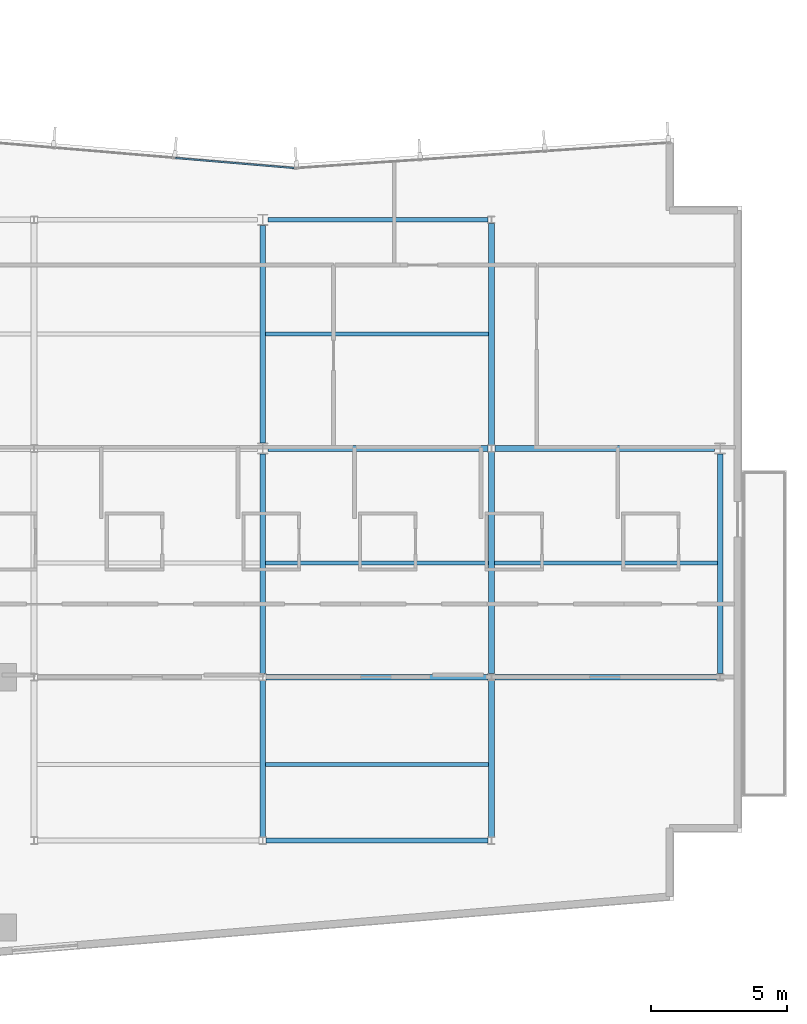
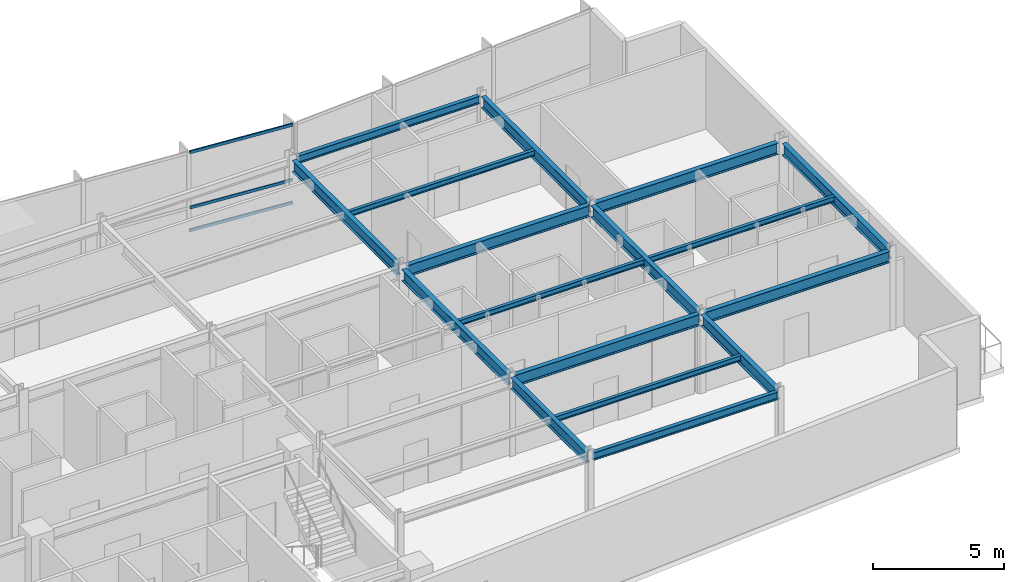
# One storey, part 6 of 15: 17 beams, 3 members, 1 element without a shape of its own.
"""IFC4 building model written with IfcOpenShell, lengths in metres."""

from ifc_helpers import new_model, si_unit, direction, frame, origin, origin_2d, place, context, subcontext, project, spatial, hollow_rectangle, i_section, extrude, material, layer, layer_set, material_profile, profile_set, type_object, element, aggregate, save


model = new_model("IFC4")

# Units and contexts
model_context = context("Model", 3, precision=1e-05, world=origin(), true_north=direction((0.0, 1.0)))
body_context = subcontext(model_context, "Body", "Model", "MODEL_VIEW")
ifc_project = project(units=[si_unit("LENGTHUNIT", "METRE"), si_unit("AREAUNIT", "SQUARE_METRE"), si_unit("VOLUMEUNIT", "CUBIC_METRE"), si_unit("PLANEANGLEUNIT", "RADIAN"), si_unit("MASSUNIT", "GRAM", prefix="KILO")], contexts=[model_context])

# Site, building, storey
site_placement = place(None, origin())
site = spatial("IfcSite", under=ifc_project, at=site_placement, CompositionType="ELEMENT")
building_placement = place(site_placement, origin())
building = spatial("IfcBuilding", under=site, at=building_placement, Name="Varnakote Quay Hospital", CompositionType="ELEMENT")
storey_placement = place(building_placement, frame((0.0, 0.0, 200.0)))
storey = spatial("IfcBuildingStorey", under=building, at=storey_placement, Name="L49", CompositionType="ELEMENT", Elevation=200.0)

# Beams
ifc_material_1 = material(Name="Structural steel AS/NZS 3679.1 Grade 350 L0 (fy 340 MPa)", Category="steel")
ifc_material_profile_1 = material_profile(ifc_material_1, i_section(OverallWidth=0.208984375, OverallDepth=0.528076171875, WebThickness=0.009521484375, FlangeThickness=0.01318359375, FilletRadius=0.013916015625, at=origin_2d()), Name="530UB82.0")
ifc_profile_set_1 = profile_set([ifc_material_profile_1], Name="Structural steel AS/NZS 3679.1 Grade 350 L0 (fy 340 MPa)")
beam_type_1 = type_object("IfcBeamType", Name="BM-STL-530UB82-0", PredefinedType="BEAM", material=ifc_profile_set_1)
beam_1_placement = place(storey_placement, frame((33.60009765625, 6.1298828125, 3.446044921875), z_axis=(0.0, 1.0, 0.0), x_axis=(-1.0, 0.0, 0.0)))
element("IfcBeam", 1, at=beam_1_placement, inside=storey, type_object=beam_type_1, Name="L49 Primary Tie Beam", PredefinedType="BEAM", context=body_context, shape_type="SweptSolid", body=[
    extrude(i_section(OverallWidth=0.208984375, OverallDepth=0.528076171875, WebThickness=0.009521484375, FlangeThickness=0.01318359375, FilletRadius=0.013916015625, at=origin_2d()), origin(), (0.0, 0.0, 1.0), 5.740234375),
])
beam_2_placement = place(storey_placement, frame((33.60009765625, 12.1298828125, 3.446044921875), z_axis=(0.0, 1.0, 0.0), x_axis=(-1.0, 0.0, 0.0)))
element("IfcBeam", 2, at=beam_2_placement, inside=storey, type_object=beam_type_1, Name="L49 Primary Tie Beam", PredefinedType="BEAM", context=body_context, shape_type="SweptSolid", body=[
    extrude(i_section(OverallWidth=0.208984375, OverallDepth=0.528076171875, WebThickness=0.009521484375, FlangeThickness=0.01318359375, FilletRadius=0.013916015625, at=origin_2d()), origin(), (0.0, 0.0, 1.0), 8.068115234375),
])
beam_3_placement = place(storey_placement, frame((33.60009765625, 20.60205078125, 3.446044921875), z_axis=(0.0, 1.0, 0.0), x_axis=(-1.0, 0.0, 0.0)))
element("IfcBeam", 3, at=beam_3_placement, inside=storey, type_object=beam_type_1, Name="L49 Primary Tie Beam", PredefinedType="BEAM", context=body_context, shape_type="SweptSolid", body=[
    extrude(i_section(OverallWidth=0.208984375, OverallDepth=0.528076171875, WebThickness=0.009521484375, FlangeThickness=0.01318359375, FilletRadius=0.013916015625, at=origin_2d()), origin(), (0.0, 0.0, 1.0), 7.995849609375),
])
beam_4_placement = place(storey_placement, frame((42.0, 6.1298828125, 3.446044921875), z_axis=(0.0, 1.0, 0.0), x_axis=(-1.0, 0.0, 0.0)))
element("IfcBeam", 4, at=beam_4_placement, inside=storey, type_object=beam_type_1, Name="L49 Primary Tie Beam", PredefinedType="BEAM", context=body_context, shape_type="SweptSolid", body=[
    extrude(i_section(OverallWidth=0.208984375, OverallDepth=0.528076171875, WebThickness=0.009521484375, FlangeThickness=0.01318359375, FilletRadius=0.013916015625, at=origin_2d()), origin(), (0.0, 0.0, 1.0), 5.740234375),
])
beam_5_placement = place(storey_placement, frame((42.0, 12.1298828125, 3.446044921875), z_axis=(0.0, 1.0, 0.0), x_axis=(-1.0, 0.0, 0.0)))
element("IfcBeam", 5, at=beam_5_placement, inside=storey, type_object=beam_type_1, Name="L49 Primary Tie Beam", PredefinedType="BEAM", context=body_context, shape_type="SweptSolid", body=[
    extrude(i_section(OverallWidth=0.208984375, OverallDepth=0.528076171875, WebThickness=0.009521484375, FlangeThickness=0.01318359375, FilletRadius=0.013916015625, at=origin_2d()), origin(), (0.0, 0.0, 1.0), 8.14013671875),
])
beam_6_placement = place(storey_placement, frame((42.0, 20.530029296875, 3.446044921875), z_axis=(0.0, 1.0, 0.0), x_axis=(-1.0, 0.0, 0.0)))
element("IfcBeam", 6, at=beam_6_placement, inside=storey, type_object=beam_type_1, Name="L49 Primary Tie Beam", PredefinedType="BEAM", context=body_context, shape_type="SweptSolid", body=[
    extrude(i_section(OverallWidth=0.208984375, OverallDepth=0.528076171875, WebThickness=0.009521484375, FlangeThickness=0.01318359375, FilletRadius=0.013916015625, at=origin_2d()), origin(), (0.0, 0.0, 1.0), 8.139892578125),
])
beam_7_placement = place(storey_placement, frame((50.39990234375, 12.1298828125, 3.446044921875), z_axis=(0.0, 1.0, 0.0), x_axis=(-1.0, 0.0, 0.0)))
element("IfcBeam", 7, at=beam_7_placement, inside=storey, type_object=beam_type_1, Name="L49 Primary Tie Beam", PredefinedType="BEAM", context=body_context, shape_type="SweptSolid", body=[
    extrude(i_section(OverallWidth=0.208984375, OverallDepth=0.528076171875, WebThickness=0.009521484375, FlangeThickness=0.01318359375, FilletRadius=0.013916015625, at=origin_2d()), origin(), (0.0, 0.0, 1.0), 8.068115234375),
])
ifc_material_2 = material(Name="Structural steel AS/NZS 3679.1 Grade 350 L0 (fy 340 MPa)", Category="steel")
ifc_material_profile_2 = material_profile(ifc_material_2, i_section(OverallWidth=0.208984375, OverallDepth=0.532958984375, WebThickness=0.01025390625, FlangeThickness=0.015625, FilletRadius=0.013916015625, at=origin_2d()), Name="530UB92.4")
ifc_profile_set_2 = profile_set([ifc_material_profile_2], Name="Structural steel AS/NZS 3679.1 Grade 350 L0 (fy 340 MPa)")
beam_type_2 = type_object("IfcBeamType", Name="BM-STL-530UB92-4", PredefinedType="BEAM", material=ifc_profile_set_2)
for number, where, z_axis, x_axis, name in (
    (8, (33.72802734375, 12.0, 3.443603515625), (1.0, 0.0, 0.0), (0.0, 1.0, 0.0), "L49 Primary Floor Beam"),
    (9, (42.1279296875, 12.0, 3.443603515625), (1.0, 0.0, 0.0), (0.0, 1.0, 0.0), "L49 Primary Floor Beam"),
):
    element("IfcBeam", number, at=place(storey_placement, frame(where, z_axis=z_axis, x_axis=x_axis)), inside=storey, type_object=beam_type_2, Name=name, PredefinedType="BEAM", context=body_context, shape_type="SweptSolid", body=[
        extrude(i_section(OverallWidth=0.208984375, OverallDepth=0.532958984375, WebThickness=0.01025390625, FlangeThickness=0.015625, FilletRadius=0.013916015625, at=origin_2d()), origin(), (0.0, 0.0, 1.0), 8.14404296875),
    ])
for number, where, z_axis, x_axis, name in (
    (10, (33.800048828125, 20.39990234375, 3.443603515625), (1.0, 0.0, 0.0), (0.0, 1.0, 0.0), "L49 Primary Floor Beam"),
    (11, (42.1279296875, 20.39990234375, 3.443603515625), (1.0, 0.0, 0.0), (0.0, 1.0, 0.0), "L49 Primary Floor Beam"),
):
    element("IfcBeam", number, at=place(storey_placement, frame(where, z_axis=z_axis, x_axis=x_axis)), inside=storey, type_object=beam_type_2, Name=name, PredefinedType="BEAM", context=body_context, shape_type="SweptSolid", body=[
        extrude(i_section(OverallWidth=0.208984375, OverallDepth=0.532958984375, WebThickness=0.01025390625, FlangeThickness=0.015625, FilletRadius=0.013916015625, at=origin_2d()), origin(), (0.0, 0.0, 1.0), 8.072021484375),
    ])

# Curtain wall, members
ifc_material_3 = material(Name="Anodised aluminium 6063-T6 Bronze", Category="aluminium")
ifc_layer = layer(ifc_material_3, 0.219970703125)
ifc_layer_set = layer_set([ifc_layer], Name="Anodised aluminium 6063-T6 Bronze")
curtain_wall_type = type_object("IfcCurtainWallType", Name="CW-SYS-4", PredefinedType="NOTDEFINED", material=ifc_layer_set)
curtain_wall_placement = place(storey_placement, origin())
curtain_wall = element("IfcCurtainWall", 12, at=curtain_wall_placement, inside=storey, type_object=curtain_wall_type, Name="L49 Unitised Bronze Curtain Wall 2", PredefinedType="NOTDEFINED")
ifc_material_4 = material(Name="Anodised aluminium 6063-T6 Bronze", Category="aluminium")
ifc_material_profile_3 = material_profile(ifc_material_4, hollow_rectangle(XDim=0.06494140625, YDim=0.139892578125, WallThickness=0.00390625, InnerFilletRadius=0.00390625, OuterFilletRadius=0.007568359375, at=origin_2d()), Name="CW-TRAN-140x65")
ifc_profile_set_3 = profile_set([ifc_material_profile_3], Name="Anodised aluminium 6063-T6 Bronze")
member_type = type_object("IfcMemberType", Name="CW-TRAN-140x65", PredefinedType="USERDEFINED", material=ifc_profile_set_3)
member_1_placement = place(storey_placement, frame((34.75, 30.700927734375, 0.032470703125), z_axis=(-0.996453440464, 0.084145950507, 0.0), x_axis=(-0.084145950507, -0.996453440464, 0.0)))
member_1 = element("IfcMember", 13, at=member_1_placement, type_object=member_type, Name="-4-L49-2 transom 1.1", ObjectType="TRANSOM", PredefinedType="USERDEFINED", context=body_context, shape_type="SweptSolid", body=[
    extrude(hollow_rectangle(XDim=0.06494140625, YDim=0.139892578125, WallThickness=0.00390625, InnerFilletRadius=0.00390625, OuterFilletRadius=0.007568359375, at=origin_2d()), origin(), (0.0, 0.0, 1.0), 4.369384765625),
])
member_2_placement = place(storey_placement, frame((34.75, 30.700927734375, 1.10009765625), z_axis=(-0.996453440464, 0.084145950507, 0.0), x_axis=(-0.084145950507, -0.996453440464, 0.0)))
member_2 = element("IfcMember", 14, at=member_2_placement, type_object=member_type, Name="-4-L49-2 transom 1.2", ObjectType="TRANSOM", PredefinedType="USERDEFINED", context=body_context, shape_type="SweptSolid", body=[
    extrude(hollow_rectangle(XDim=0.06494140625, YDim=0.139892578125, WallThickness=0.00390625, InnerFilletRadius=0.00390625, OuterFilletRadius=0.007568359375, at=origin_2d()), origin(), (0.0, 0.0, 1.0), 4.369384765625),
])
member_3_placement = place(storey_placement, frame((34.75, 30.700927734375, 3.677490234375), z_axis=(-0.996453440464, 0.084145950507, 0.0), x_axis=(-0.084145950507, -0.996453440464, 0.0)))
member_3 = element("IfcMember", 15, at=member_3_placement, type_object=member_type, Name="-4-L49-2 transom 1.3", ObjectType="TRANSOM", PredefinedType="USERDEFINED", context=body_context, shape_type="SweptSolid", body=[
    extrude(hollow_rectangle(XDim=0.06494140625, YDim=0.139892578125, WallThickness=0.00390625, InnerFilletRadius=0.00390625, OuterFilletRadius=0.007568359375, at=origin_2d()), origin(), (0.0, 0.0, 1.0), 4.369384765625),
])
aggregate(curtain_wall, [member_1, member_2, member_3])

# Beams
ifc_material_5 = material(Name="Structural steel AS/NZS 3679.1 Grade 350 L0 (fy 340 MPa)", Category="steel")
ifc_material_profile_4 = material_profile(ifc_material_5, i_section(OverallWidth=0.14599609375, OverallDepth=0.256103515625, WebThickness=0.00634765625, FlangeThickness=0.010986328125, FilletRadius=0.0087890625, at=origin_2d()), Name="250UB37.3")
ifc_profile_set_4 = profile_set([ifc_material_profile_4], Name="Structural steel AS/NZS 3679.1 Grade 350 L0 (fy 340 MPa)")
beam_type_3 = type_object("IfcBeamType", Name="JST-STL-250UB37-3", PredefinedType="JOIST", material=ifc_profile_set_4)
for number, where, z_axis, x_axis, name in (
    (16, (33.70458984375, 8.800048828125, 3.58203125), (1.0, 0.0, 0.0), (0.0, 1.0, 0.0), "L49 Composite Floor Joist"),
    (17, (33.70458984375, 16.199951171875, 3.58203125), (1.0, 0.0, 0.0), (0.0, 1.0, 0.0), "L49 Composite Floor Joist"),
    (18, (42.1044921875, 16.199951171875, 3.58203125), (1.0, 0.0, 0.0), (0.0, 1.0, 0.0), "L49 Composite Floor Joist"),
    (19, (33.70458984375, 24.60009765625, 3.58203125), (1.0, 0.0, 0.0), (0.0, 1.0, 0.0), "L49 Composite Floor Joist"),
):
    element("IfcBeam", number, at=place(storey_placement, frame(where, z_axis=z_axis, x_axis=x_axis)), inside=storey, type_object=beam_type_3, Name=name, PredefinedType="JOIST", context=body_context, shape_type="SweptSolid", body=[
        extrude(i_section(OverallWidth=0.14599609375, OverallDepth=0.256103515625, WebThickness=0.00634765625, FlangeThickness=0.010986328125, FilletRadius=0.0087890625, at=origin_2d()), origin(), (0.0, 0.0, 1.0), 8.19091796875),
    ])
ifc_material_6 = material(Name="Structural steel AS/NZS 3679.1 Grade 350 L0 (fy 340 MPa)", Category="steel")
ifc_material_profile_5 = material_profile(ifc_material_6, i_section(OverallWidth=0.172119140625, OverallDepth=0.35888671875, WebThickness=0.008056640625, FlangeThickness=0.012939453125, FilletRadius=0.011474609375, at=origin_2d()), Name="360UB56.7")
ifc_profile_set_5 = profile_set([ifc_material_profile_5], Name="Structural steel AS/NZS 3679.1 Grade 350 L0 (fy 340 MPa)")
beam_type_4 = type_object("IfcBeamType", Name="SPN-STL-360UB56-7", PredefinedType="SPANDREL", material=ifc_profile_set_5)
beam_8_placement = place(storey_placement, frame((33.72802734375, 6.0, 3.530517578125), z_axis=(1.0, 0.0, 0.0), x_axis=(0.0, 1.0, 0.0)))
element("IfcBeam", 20, at=beam_8_placement, inside=storey, type_object=beam_type_4, Name="L49 Perimeter Spandrel Beam", PredefinedType="SPANDREL", context=body_context, shape_type="SweptSolid", body=[
    extrude(i_section(OverallWidth=0.172119140625, OverallDepth=0.35888671875, WebThickness=0.008056640625, FlangeThickness=0.012939453125, FilletRadius=0.011474609375, at=origin_2d()), origin(), (0.0, 0.0, 1.0), 8.14404296875),
])
beam_9_placement = place(storey_placement, frame((33.800048828125, 28.800048828125, 3.530517578125), z_axis=(1.0, 0.0, 0.0), x_axis=(0.0, 1.0, 0.0)))
element("IfcBeam", 21, at=beam_9_placement, inside=storey, type_object=beam_type_4, Name="L49 Perimeter Spandrel Beam", PredefinedType="SPANDREL", context=body_context, shape_type="SweptSolid", body=[
    extrude(i_section(OverallWidth=0.172119140625, OverallDepth=0.35888671875, WebThickness=0.008056640625, FlangeThickness=0.012939453125, FilletRadius=0.011474609375, at=origin_2d()), origin(), (0.0, 0.0, 1.0), 8.072021484375),
])

save(model, "model.ifc")
